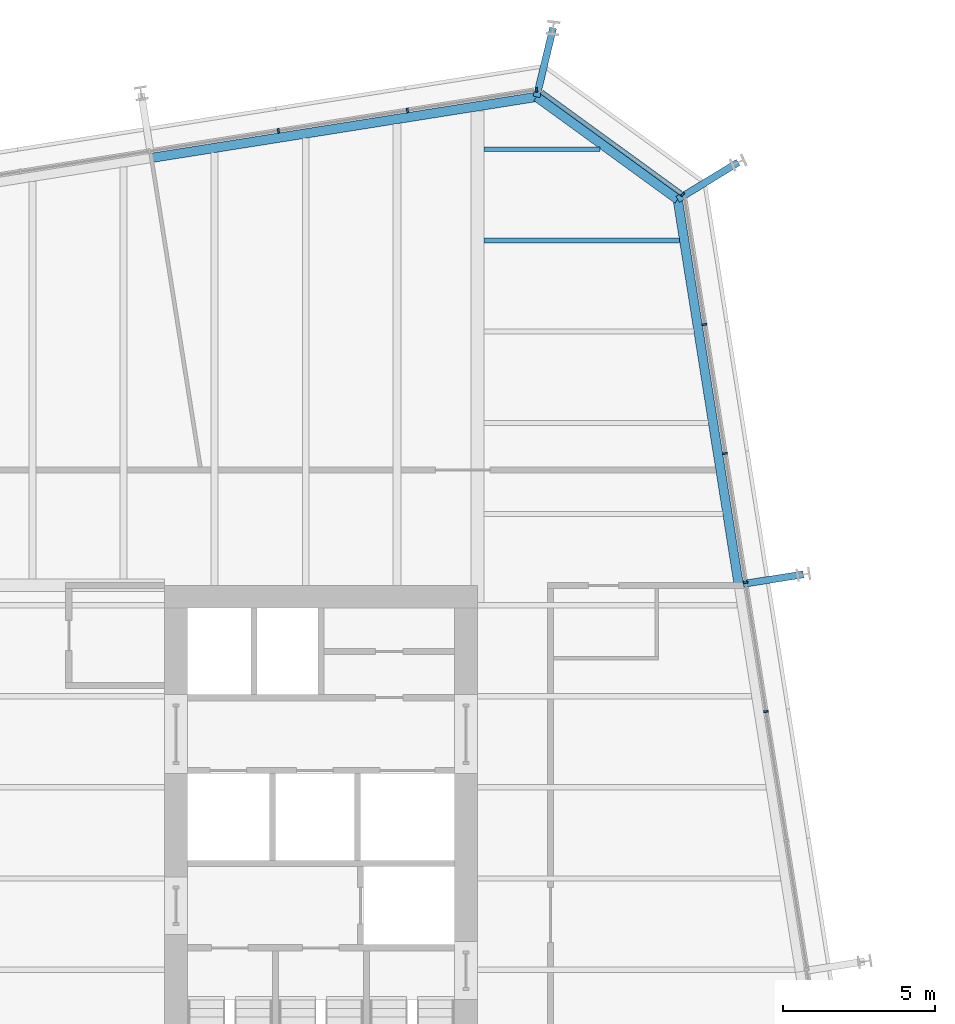
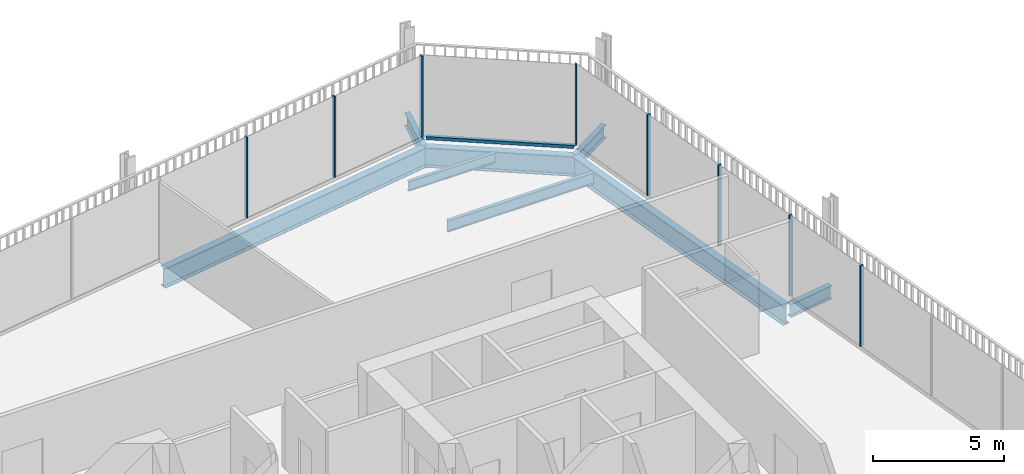
# One storey, part 15 of 21: 9 members, 8 beams, 3 elements without a shape of their own.
"""IFC4 building model written with IfcOpenShell, lengths in metres."""

import ifcopenshell
import ifcopenshell.guid

model = None  # the IFC model being written
_history = None  # IfcOwnerHistory: only IFC2X3 demands one
_inside = {}  # id of a spatial element -> (the spatial element, [elements in it])
_under = {}  # id of a project, library or spatial element -> (it, [spatial elements below it])
_declared = {}  # id of a project -> (the project, [libraries it declares])
_typed = {}  # id of a type object -> (the type object, [elements of that type])
_made_of = {}  # id of a material, layer set ... -> (it, [elements and type objects made of it])


def new_model(schema):
    """Start an empty IFC model of exactly this schema.

    Asked for "IFC4X3", IfcOpenShell would pick the latest addendum, in which some entities
    have other attributes; the version numbers below select the first issue.
    IFC2X3 requires an IfcOwnerHistory on every rooted entity: one is made here for all.
    """
    global model, _history
    if schema == "IFC4X3":
        model = ifcopenshell.file(schema_version=(4, 3, 0, 0))
    else:
        model = ifcopenshell.file(schema=schema)
    _inside.clear()
    _under.clear()
    _declared.clear()
    _typed.clear()
    _made_of.clear()
    _history = None
    if model.schema == "IFC2X3":
        org = make("IfcOrganization", Name="unknown")
        user = make(
            "IfcPersonAndOrganization",
            ThePerson=make("IfcPerson", FamilyName="unknown"),
            TheOrganization=org,
        )
        app = make(
            "IfcApplication",
            ApplicationDeveloper=org,
            Version="unknown",
            ApplicationFullName="unknown",
            ApplicationIdentifier="unknown",
        )
        _history = make(
            "IfcOwnerHistory",
            OwningUser=user,
            OwningApplication=app,
            ChangeAction="ADDED",
            CreationDate=0,
        )
    return model


def make(cls, **values):
    """One entity of the class cls with the attributes given. An attribute that is None is left unset."""
    return model.create_entity(
        cls, **{name: value for name, value in values.items() if value is not None}
    )


def rooted(cls, **values):
    """An entity with a GlobalId (a new one), such as an element, a storey or a relation."""
    return make(cls, GlobalId=ifcopenshell.guid.new(), OwnerHistory=_history, **values)


def si_unit(unit_type, name, prefix=None):
    """IfcSIUnit, for example si_unit("LENGTHUNIT", "METRE", prefix="MILLI")."""
    return make("IfcSIUnit", UnitType=unit_type, Prefix=prefix, Name=name)


def assignment(units):
    """IfcUnitAssignment: the units of a project."""
    return None if units is None else make("IfcUnitAssignment", Units=units)


def point(xyz):
    """IfcCartesianPoint."""
    return None if xyz is None else make("IfcCartesianPoint", Coordinates=xyz)


def direction(xyz):
    """IfcDirection."""
    return None if xyz is None else make("IfcDirection", DirectionRatios=xyz)


def frame(location, z_axis=None, x_axis=None):
    """IfcAxis2Placement3D, a coordinate frame: its origin and axes. An axis left out is left unset."""
    return make(
        "IfcAxis2Placement3D",
        Location=point(location),
        Axis=direction(z_axis),
        RefDirection=direction(x_axis),
    )


def frame_2d(location, x_axis=None):
    """IfcAxis2Placement2D, a coordinate frame in the plane: its origin and x axis."""
    return make(
        "IfcAxis2Placement2D", Location=point(location), RefDirection=direction(x_axis)
    )


def origin():
    """The frame at (0, 0, 0) with its axes left unset."""
    return frame((0.0, 0.0, 0.0))


def origin_2d():
    """The frame at (0, 0) in the plane with its x axis left unset."""
    return frame_2d((0.0, 0.0))


def place(relative_to, where):
    """IfcLocalPlacement: puts the frame where relative to a parent placement (None: the world)."""
    return make(
        "IfcLocalPlacement", PlacementRelTo=relative_to, RelativePlacement=where
    )


def context(
    kind, dimensions, precision=None, world=None, true_north=None, identifier=None
):
    """IfcGeometricRepresentationContext, for example the 3D "Model" context."""
    return make(
        "IfcGeometricRepresentationContext",
        ContextIdentifier=identifier,
        ContextType=kind,
        CoordinateSpaceDimension=dimensions,
        Precision=precision,
        WorldCoordinateSystem=world,
        TrueNorth=true_north,
    )


def subcontext(parent, identifier, kind, view, scale=None):
    """IfcGeometricRepresentationSubContext, for example "Body" below "Model"."""
    return make(
        "IfcGeometricRepresentationSubContext",
        ContextIdentifier=identifier,
        ContextType=kind,
        ParentContext=parent,
        TargetScale=scale,
        TargetView=view,
    )


def project(units=None, contexts=None):
    """IfcProject with its units and contexts."""
    return rooted(
        "IfcProject",
        Name="project",
        RepresentationContexts=contexts,
        UnitsInContext=assignment(units),
    )


def spatial(cls, under=None, at=None, **own):
    """A site, building, storey or space (cls), placed at a placement, below another one or the project."""
    s = rooted(cls, ObjectPlacement=at, **own)
    if under is not None:
        _under.setdefault(under.id(), (under, []))[1].append(s)
    return s


def profile(cls, at=None, kind="AREA", **sizes):
    """A parametric profile (cls). Its sizes go by their IFC names, for example OverallWidth=200.0."""
    return make(cls, ProfileType=kind, Position=at, **sizes)


def rectangle(**sizes):
    """IfcRectangleProfileDef."""
    return profile("IfcRectangleProfileDef", **sizes)


def i_section(**sizes):
    """IfcIShapeProfileDef."""
    return profile("IfcIShapeProfileDef", **sizes)


def extrude(swept, where, along, depth):
    """IfcExtrudedAreaSolid: the profile swept, set in the frame where, extruded along a direction by depth."""
    return make(
        "IfcExtrudedAreaSolid",
        SweptArea=swept,
        Position=where,
        ExtrudedDirection=direction(along),
        Depth=depth,
    )


def shape(context_of_items, identifier, shape_type, items):
    """IfcShapeRepresentation: the items that make up one representation, for example the "Body"."""
    return make(
        "IfcShapeRepresentation",
        ContextOfItems=context_of_items,
        RepresentationIdentifier=identifier,
        RepresentationType=shape_type,
        Items=items,
    )


def material(Name=None, Category=None):
    """IfcMaterial."""
    return make("IfcMaterial", Name=Name, Category=Category)


def layer(
    of_material, thickness, ventilated=None, Name=None, Category=None, Priority=None
):
    """IfcMaterialLayer: one layer of a wall or slab, of a material (None: an air gap)."""
    return make(
        "IfcMaterialLayer",
        Material=of_material,
        LayerThickness=thickness,
        IsVentilated=ventilated,
        Name=Name,
        Category=Category,
        Priority=Priority,
    )


def layer_set(layers, Name=None):
    """IfcMaterialLayerSet."""
    return make("IfcMaterialLayerSet", MaterialLayers=layers, LayerSetName=Name)


def material_profile(
    of_material, cross_section, Name=None, Category=None, Priority=None
):
    """IfcMaterialProfile: a cross section and its material."""
    return make(
        "IfcMaterialProfile",
        Name=Name,
        Material=of_material,
        Profile=cross_section,
        Priority=Priority,
        Category=Category,
    )


def profile_set(profiles, Name=None, composite=None):
    """IfcMaterialProfileSet."""
    return make(
        "IfcMaterialProfileSet",
        Name=Name,
        MaterialProfiles=profiles,
        CompositeProfile=composite,
    )


def made_of(thing, what):
    """Note that an element or type object is made of a material, layer set ...; save() writes the relation."""
    if what is not None:
        _made_of.setdefault(what.id(), (what, []))[1].append(thing)
    return thing


def type_object(cls, material=None, **own):
    """A type object (cls), such as IfcWallType, which elements share."""
    return made_of(rooted(cls, **own), material)


def element(
    cls,
    number,
    at=None,
    inside=None,
    cuts=None,
    type_object=None,
    material=None,
    context=None,
    identifier="Body",
    shape_type=None,
    held_by="IfcProductDefinitionShape",
    body=None,
    shapes=None,
    **own,
):
    """One element of the class cls, such as IfcWall. Its Tag is "e" and its number.

    at: its placement. inside: the storey or other place that contains it. cuts: it is an
    opening in that element (IfcRelVoidsElement). A single representation is given by context,
    identifier, shape_type and body (its items); several are given by shapes. held_by: the class
    of the entity that holds the representations. save() writes the other relations.
    """
    e = rooted(cls, Tag="e%d" % number, ObjectPlacement=at, **own)
    if body is not None:
        shapes = [shape(context, identifier, shape_type, body)]
    if shapes is not None:
        e.Representation = make(held_by, Representations=shapes)
    if inside is not None:
        _inside.setdefault(inside.id(), (inside, []))[1].append(e)
    if cuts is not None:
        rooted(
            "IfcRelVoidsElement", RelatingBuildingElement=cuts, RelatedOpeningElement=e
        )
    if type_object is not None:
        _typed.setdefault(type_object.id(), (type_object, []))[1].append(e)
    return made_of(e, material)


def aggregate(whole, parts):
    """IfcRelAggregates: a whole, such as a stair, and the parts it consists of."""
    return rooted("IfcRelAggregates", RelatingObject=whole, RelatedObjects=parts)


def save(model, path):
    """Write the relations noted so far, then the file.

    IfcRelAggregates (storeys below a building ...), IfcRelContainedInSpatialStructure (elements
    in a storey), IfcRelDefinesByType, IfcRelAssociatesMaterial and IfcRelDeclares: one each for
    every whole, place, type object, material and project.
    """
    for whole, parts in _under.values():
        aggregate(whole, parts)
    for where, things in _inside.values():
        rooted(
            "IfcRelContainedInSpatialStructure",
            RelatedElements=things,
            RelatingStructure=where,
        )
    for kind, things in _typed.values():
        rooted("IfcRelDefinesByType", RelatedObjects=things, RelatingType=kind)
    for what, things in _made_of.values():
        rooted("IfcRelAssociatesMaterial", RelatedObjects=things, RelatingMaterial=what)
    for by, libraries in _declared.values():
        rooted("IfcRelDeclares", RelatingContext=by, RelatedDefinitions=libraries)
    model.write(path)


model = new_model("IFC4")

# Units and contexts
model_context = context("Model", 3, precision=1e-05, world=origin(), true_north=direction((0.0, 1.0)))
body_context = subcontext(model_context, "Body", "Model", "MODEL_VIEW")
ifc_project = project(units=[si_unit("LENGTHUNIT", "METRE"), si_unit("AREAUNIT", "SQUARE_METRE"), si_unit("VOLUMEUNIT", "CUBIC_METRE"), si_unit("PLANEANGLEUNIT", "RADIAN"), si_unit("MASSUNIT", "GRAM", prefix="KILO")], contexts=[model_context])

# Site, building, storey
site_placement = place(None, origin())
site = spatial("IfcSite", under=ifc_project, at=site_placement, CompositionType="ELEMENT")
building_placement = place(site_placement, origin())
building = spatial("IfcBuilding", under=site, at=building_placement, Name="Millrace Tower", CompositionType="ELEMENT")
storey_placement = place(building_placement, frame((0.0, 0.0, 149.0)))
storey = spatial("IfcBuildingStorey", under=building, at=storey_placement, Name="L33", CompositionType="ELEMENT", Elevation=149.0)

# Curtain wall, members
ifc_material_1 = material(Name="Aluminium and glass", Category="aluminium")
ifc_layer = layer(ifc_material_1, 0.14990234375)
ifc_layer_set = layer_set([ifc_layer], Name="Aluminium and glass")
curtain_wall_type = type_object("IfcCurtainWallType", Name="CW-1 office vision curtain wall", PredefinedType="NOTDEFINED", material=ifc_layer_set)
placement = place(storey_placement, origin())
curtain_wall_1 = element("IfcCurtainWall", 1, at=placement, inside=storey, type_object=curtain_wall_type, Name="Curtain wall C-F04 L33", PredefinedType="NOTDEFINED")
ifc_material_2 = material(Name="Aluminium", Category="aluminium")
ifc_material_profile_1 = material_profile(ifc_material_2, rectangle(XDim=0.06494140625, YDim=0.14990234375, at=origin_2d()))
ifc_profile_set_1 = profile_set([ifc_material_profile_1], Name="Aluminium")
member_type_1 = type_object("IfcMemberType", Name="CW-1 office vision curtain wall mullion", PredefinedType="MULLION", material=ifc_profile_set_1)
member_1_placement = place(storey_placement, frame((24.143310546875, 5.49365234375, 0.139892578125), z_axis=(0.0, 0.0, 1.0), x_axis=(-0.15643447328, 0.98768833929, 0.0)))
member_1 = element("IfcMember", 2, at=member_1_placement, type_object=member_type_1, Name="CW1 mullion C-F04.6", PredefinedType="MULLION", context=body_context, shape_type="SweptSolid", body=[
    extrude(rectangle(XDim=0.06494140625, YDim=0.14990234375, at=origin_2d()), origin(), (0.0, 0.0, 1.0), 3.760009765625),
])
member_2_placement = place(storey_placement, frame((23.470703125, 9.74072265625, 0.139892578125), z_axis=(0.0, 0.0, 1.0), x_axis=(-0.15643447328, 0.98768833929, 0.0)))
member_2 = element("IfcMember", 3, at=member_2_placement, type_object=member_type_1, Name="CW1 mullion C-F04.7", PredefinedType="MULLION", context=body_context, shape_type="SweptSolid", body=[
    extrude(rectangle(XDim=0.06494140625, YDim=0.14990234375, at=origin_2d()), origin(), (0.0, 0.0, 1.0), 3.760009765625),
])
member_3_placement = place(storey_placement, frame((22.798095703125, 13.98779296875, 0.139892578125), z_axis=(0.0, 0.0, 1.0), x_axis=(-0.15643447328, 0.98768833929, 0.0)))
member_3 = element("IfcMember", 4, at=member_3_placement, type_object=member_type_1, Name="CW1 mullion C-F04.8", PredefinedType="MULLION", context=body_context, shape_type="SweptSolid", body=[
    extrude(rectangle(XDim=0.06494140625, YDim=0.14990234375, at=origin_2d()), origin(), (0.0, 0.0, 1.0), 3.760009765625),
])
member_4_placement = place(storey_placement, frame((22.125244140625, 18.23486328125, 0.139892578125), z_axis=(0.0, 0.0, 1.0), x_axis=(-0.15643447328, 0.98768833929, 0.0)))
member_4 = element("IfcMember", 5, at=member_4_placement, type_object=member_type_1, Name="CW1 mullion C-F04.9", PredefinedType="MULLION", context=body_context, shape_type="SweptSolid", body=[
    extrude(rectangle(XDim=0.06494140625, YDim=0.14990234375, at=origin_2d()), origin(), (0.0, 0.0, 1.0), 3.760009765625),
])
aggregate(curtain_wall_1, [member_1, member_2, member_3, member_4])

# Curtain wall, member
curtain_wall_2 = element("IfcCurtainWall", 6, at=placement, inside=storey, type_object=curtain_wall_type, Name="Curtain wall C-F05 L33", PredefinedType="NOTDEFINED")
member_5_placement = place(storey_placement, frame((21.4013671875, 22.517822265625, 0.139892578125), z_axis=(0.0, 0.0, 1.0), x_axis=(-0.809016981623, 0.587785269844, 0.0)))
member_5 = element("IfcMember", 7, at=member_5_placement, type_object=member_type_1, Name="CW1 mullion C-F05.1", PredefinedType="MULLION", context=body_context, shape_type="SweptSolid", body=[
    extrude(rectangle(XDim=0.06494140625, YDim=0.14990234375, at=origin_2d()), origin(), (0.0, 0.0, 1.0), 3.760009765625),
])

# Curtain wall, members
curtain_wall_3 = element("IfcCurtainWall", 8, at=placement, inside=storey, type_object=curtain_wall_type, Name="Curtain wall C-F06 L33", PredefinedType="NOTDEFINED")
member_6_placement = place(storey_placement, frame((16.591796875, 25.956787109375, 0.139892578125), z_axis=(0.0, 0.0, 1.0), x_axis=(-0.98768833929, -0.15643447328, 0.0)))
member_6 = element("IfcMember", 9, at=member_6_placement, type_object=member_type_1, Name="CW1 mullion C-F06.1", PredefinedType="MULLION", context=body_context, shape_type="SweptSolid", body=[
    extrude(rectangle(XDim=0.06494140625, YDim=0.14990234375, at=origin_2d()), origin(), (0.0, 0.0, 1.0), 3.760009765625),
])
member_7_placement = place(storey_placement, frame((12.3447265625, 25.283935546875, 0.139892578125), z_axis=(0.0, 0.0, 1.0), x_axis=(-0.98768833929, -0.15643447328, 0.0)))
member_7 = element("IfcMember", 10, at=member_7_placement, type_object=member_type_1, Name="CW1 mullion C-F06.2", PredefinedType="MULLION", context=body_context, shape_type="SweptSolid", body=[
    extrude(rectangle(XDim=0.06494140625, YDim=0.14990234375, at=origin_2d()), origin(), (0.0, 0.0, 1.0), 3.760009765625),
])
member_8_placement = place(storey_placement, frame((8.09765625, 24.611328125, 0.139892578125), z_axis=(0.0, 0.0, 1.0), x_axis=(-0.98768833929, -0.15643447328, 0.0)))
member_8 = element("IfcMember", 11, at=member_8_placement, type_object=member_type_1, Name="CW1 mullion C-F06.3", PredefinedType="MULLION", context=body_context, shape_type="SweptSolid", body=[
    extrude(rectangle(XDim=0.06494140625, YDim=0.14990234375, at=origin_2d()), origin(), (0.0, 0.0, 1.0), 3.760009765625),
])
aggregate(curtain_wall_3, [member_6, member_7, member_8])

# Member
ifc_material_3 = material(Name="Aluminium", Category="aluminium")
ifc_material_profile_2 = material_profile(ifc_material_3, rectangle(XDim=0.14990234375, YDim=0.139892578125, at=origin_2d()))
ifc_profile_set_2 = profile_set([ifc_material_profile_2], Name="Aluminium")
member_type_2 = type_object("IfcMemberType", Name="CW-1 office vision curtain wall transom", PredefinedType="USERDEFINED", material=ifc_profile_set_2)
member_9_placement = place(storey_placement, frame((21.346923828125, 22.557373046875, 0.070068359375), z_axis=(-0.809013470651, 0.587790102252, 0.0), x_axis=(-0.587790102252, -0.809013470651, 0.0)))
member_9 = element("IfcMember", 12, at=member_9_placement, type_object=member_type_2, Name="CW1 transom C-F05.1", ObjectType="TRANSOM", PredefinedType="USERDEFINED", context=body_context, shape_type="SweptSolid", body=[
    extrude(rectangle(XDim=0.14990234375, YDim=0.139892578125, at=origin_2d()), origin(), (0.0, 0.0, 1.0), 5.669189453125),
])

aggregate(curtain_wall_2, [member_5, member_9])

# Beams
ifc_material_4 = material(Name="Steel ASTM A992 Grade 50", Category="steel")
ifc_material_profile_3 = material_profile(ifc_material_4, i_section(OverallWidth=0.15234375, OverallDepth=0.449462890625, WebThickness=0.007568359375, FlangeThickness=0.0107421875, FilletRadius=0.01025390625, at=origin_2d()))
ifc_profile_set_3 = profile_set([ifc_material_profile_3], Name="Steel ASTM A992 Grade 50")
beam_type_1 = type_object("IfcBeamType", Name="Floor beam W18x35", PredefinedType="JOIST", material=ifc_profile_set_3)
beam_1_placement = place(storey_placement, frame((14.859619140625, 24.0, -0.384765625), z_axis=(1.0, 0.0, 0.0), x_axis=(0.0, 1.0, 0.0)))
element("IfcBeam", 13, at=beam_1_placement, inside=storey, type_object=beam_type_1, Name="BM-C-L33-S1-S038", PredefinedType="JOIST", context=body_context, shape_type="SweptSolid", body=[
    extrude(i_section(OverallWidth=0.15234375, OverallDepth=0.449462890625, WebThickness=0.007568359375, FlangeThickness=0.0107421875, FilletRadius=0.01025390625, at=origin_2d()), origin(), (0.0, 0.0, 1.0), 3.8232421875),
])
ifc_material_5 = material(Name="Steel ASTM A992 Grade 50", Category="steel")
ifc_material_profile_4 = material_profile(ifc_material_5, i_section(OverallWidth=0.1650390625, OverallDepth=0.52587890625, WebThickness=0.0087890625, FlangeThickness=0.011474609375, FilletRadius=0.0126953125, at=origin_2d()))
ifc_profile_set_4 = profile_set([ifc_material_profile_4], Name="Steel ASTM A992 Grade 50")
beam_type_2 = type_object("IfcBeamType", Name="Floor beam W21x44", PredefinedType="JOIST", material=ifc_profile_set_4)
beam_2_placement = place(storey_placement, frame((14.859619140625, 21.0, -0.4228515625), z_axis=(1.0, 0.0, 0.0), x_axis=(0.0, 1.0, 0.0)))
element("IfcBeam", 14, at=beam_2_placement, inside=storey, type_object=beam_type_2, Name="BM-C-L33-S1-S037", PredefinedType="JOIST", context=body_context, shape_type="SweptSolid", body=[
    extrude(i_section(OverallWidth=0.1650390625, OverallDepth=0.52587890625, WebThickness=0.0087890625, FlangeThickness=0.011474609375, FilletRadius=0.0126953125, at=origin_2d()), origin(), (0.0, 0.0, 1.0), 6.440673828125),
])
ifc_material_6 = material(Name="Steel ASTM A992 Grade 50", Category="steel")
ifc_material_profile_5 = material_profile(ifc_material_6, i_section(OverallWidth=0.23046875, OverallDepth=0.6171875, WebThickness=0.01318359375, FlangeThickness=0.022216796875, FilletRadius=0.012939453125, at=origin_2d()))
ifc_profile_set_5 = profile_set([ifc_material_profile_5], Name="Steel ASTM A992 Grade 50")
beam_type_3 = type_object("IfcBeamType", Name="Link beam W24x94", PredefinedType="BEAM", material=ifc_profile_set_5)
beam_3_placement = place(storey_placement, frame((16.5966796875, 25.725830078125, -0.468505859375), z_axis=(0.233432364948, 0.972373041068, 0.0), x_axis=(-0.972373041068, 0.233432364948, 0.0)))
element("IfcBeam", 15, at=beam_3_placement, inside=storey, type_object=beam_type_3, Name="LNK-C-L33-S1-08", PredefinedType="BEAM", context=body_context, shape_type="SweptSolid", body=[
    extrude(i_section(OverallWidth=0.23046875, OverallDepth=0.6171875, WebThickness=0.01318359375, FlangeThickness=0.022216796875, FilletRadius=0.012939453125, at=origin_2d()), origin(), (0.0, 0.0, 1.0), 2.331298828125),
])
beam_4_placement = place(storey_placement, frame((21.241943359375, 22.35107421875, -0.468505859375), z_axis=(0.852631355792, 0.522512938711, 0.0), x_axis=(-0.522512938711, 0.852631355792, 0.0)))
element("IfcBeam", 16, at=beam_4_placement, inside=storey, type_object=beam_type_3, Name="LNK-C-L33-S1-09", PredefinedType="BEAM", context=body_context, shape_type="SweptSolid", body=[
    extrude(i_section(OverallWidth=0.23046875, OverallDepth=0.6171875, WebThickness=0.01318359375, FlangeThickness=0.022216796875, FilletRadius=0.012939453125, at=origin_2d()), origin(), (0.0, 0.0, 1.0), 2.3310546875),
])
beam_5_placement = place(storey_placement, frame((23.401611328125, 9.69677734375, -0.468505859375), z_axis=(0.987678691416, 0.156495375404, 0.0), x_axis=(-0.156495375404, 0.987678691416, 0.0)))
element("IfcBeam", 17, at=beam_5_placement, inside=storey, type_object=beam_type_3, Name="LNK-C-L33-S1-10", PredefinedType="BEAM", context=body_context, shape_type="SweptSolid", body=[
    extrude(i_section(OverallWidth=0.23046875, OverallDepth=0.6171875, WebThickness=0.01318359375, FlangeThickness=0.022216796875, FilletRadius=0.012939453125, at=origin_2d()), origin(), (0.0, 0.0, 1.0), 2.0),
])
ifc_material_7 = material(Name="Steel ASTM A992 Grade 50", Category="steel")
ifc_material_profile_6 = material_profile(ifc_material_7, i_section(OverallWidth=0.307373046875, OverallDepth=0.927001953125, WebThickness=0.01953125, FlangeThickness=0.031982421875, FilletRadius=0.01904296875, at=origin_2d()))
ifc_profile_set_6 = profile_set([ifc_material_profile_6], Name="Steel ASTM A992 Grade 50")
beam_type_4 = type_object("IfcBeamType", Name="Ring beam medium span W36x194", PredefinedType="SPANDREL", material=ifc_profile_set_6)
for number, where, z_axis, x_axis, name in (
    (18, (3.91845703125, 23.718017578125, -0.62353515625), (0.987690996996, 0.156417692264, 0.0), (-0.156417692264, 0.987690996996, 0.0), "RNG-C-L33-S1-07"),
    (19, (21.241943359375, 22.35107421875, -0.62353515625), (0.156436246498, -0.987688058438, 0.0), (0.987688058438, 0.156436246498, 0.0), "RNG-C-L33-S1-09"),
):
    element("IfcBeam", number, at=place(storey_placement, frame(where, z_axis=z_axis, x_axis=x_axis)), inside=storey, type_object=beam_type_4, Name=name, PredefinedType="SPANDREL", context=body_context, shape_type="SweptSolid", body=[
        extrude(i_section(OverallWidth=0.307373046875, OverallDepth=0.927001953125, WebThickness=0.01953125, FlangeThickness=0.031982421875, FilletRadius=0.01904296875, at=origin_2d()), origin(), (0.0, 0.0, 1.0), 12.836181640625),
    ])
ifc_material_8 = material(Name="Steel ASTM A992 Grade 50", Category="steel")
ifc_material_profile_7 = material_profile(ifc_material_8, i_section(OverallWidth=0.307373046875, OverallDepth=0.927001953125, WebThickness=0.01953125, FlangeThickness=0.031982421875, FilletRadius=0.01904296875, at=origin_2d()))
ifc_profile_set_7 = profile_set([ifc_material_profile_7], Name="Steel ASTM A992 Grade 50")
beam_type_5 = type_object("IfcBeamType", Name="Ring beam short span W36x194", PredefinedType="SPANDREL", material=ifc_profile_set_7)
beam_6_placement = place(storey_placement, frame((16.5966796875, 25.725830078125, -0.62353515625), z_axis=(0.809035690681, -0.587759518174, 0.0), x_axis=(0.587759518174, 0.809035690681, 0.0)))
element("IfcBeam", 20, at=beam_6_placement, inside=storey, type_object=beam_type_5, Name="RNG-C-L33-S1-08", PredefinedType="SPANDREL", context=body_context, shape_type="SweptSolid", body=[
    extrude(i_section(OverallWidth=0.307373046875, OverallDepth=0.927001953125, WebThickness=0.01953125, FlangeThickness=0.031982421875, FilletRadius=0.01904296875, at=origin_2d()), origin(), (0.0, 0.0, 1.0), 5.74169921875),
])

save(model, "model.ifc")
